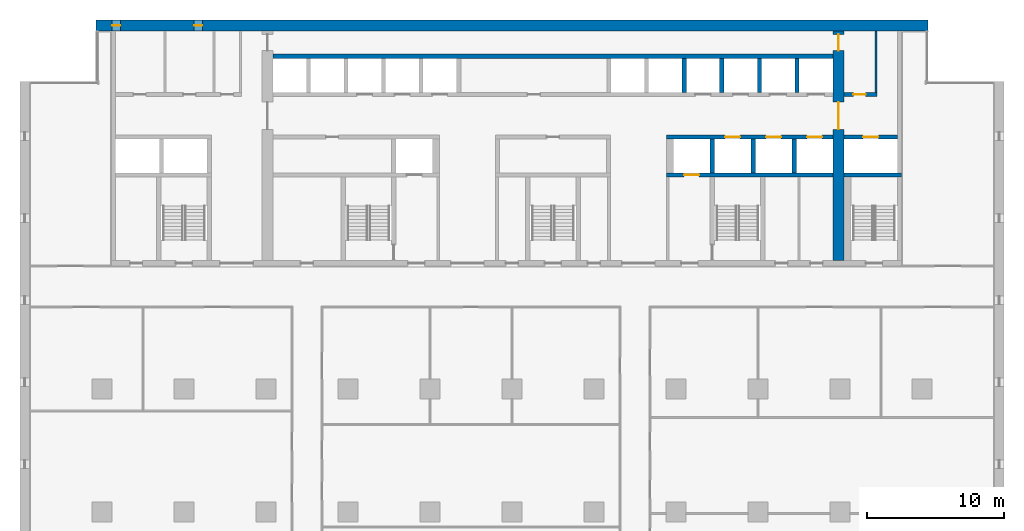
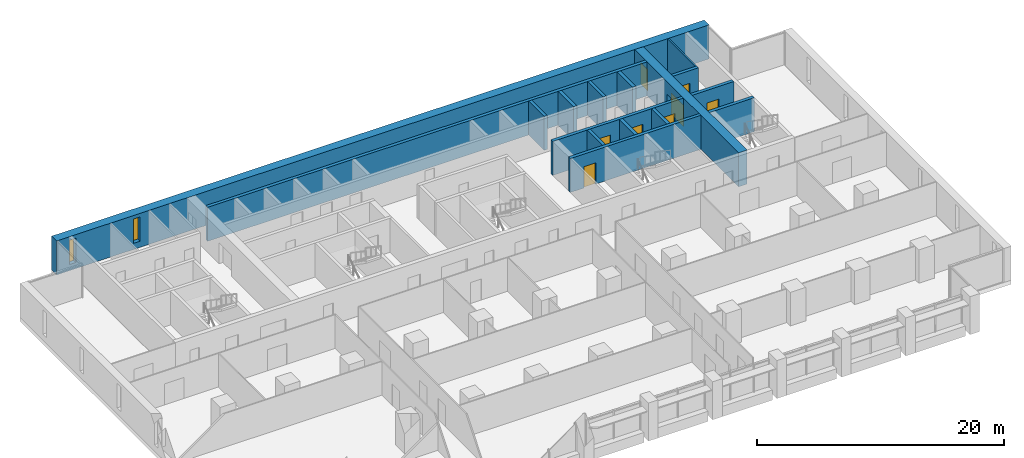
# One storey, part 11 of 17: 16 walls, 8 doors, 2 windows, 10 openings.
"""IFC4 building model written with IfcOpenShell, lengths in metres."""

from ifc_helpers import new_model, si_unit, direction, frame, frame_2d, origin, place, context, subcontext, project, spatial, rectangle, extrude, material, layer, layer_set, type_object, element, fill, save


model = new_model("IFC4")

# Units and contexts
model_context = context("Model", 3, precision=1e-05, world=origin(), true_north=direction((0.0, 1.0)))
body_context = subcontext(model_context, "Body", "Model", "MODEL_VIEW")
ifc_project = project(units=[si_unit("LENGTHUNIT", "METRE"), si_unit("AREAUNIT", "SQUARE_METRE"), si_unit("VOLUMEUNIT", "CUBIC_METRE"), si_unit("PLANEANGLEUNIT", "RADIAN"), si_unit("MASSUNIT", "GRAM", prefix="KILO")], contexts=[model_context])

# Site, building, storey
site_placement = place(None, origin())
site = spatial("IfcSite", under=ifc_project, at=site_placement, CompositionType="ELEMENT")
building_placement = place(site_placement, origin())
building = spatial("IfcBuilding", under=site, at=building_placement, Name="Calvaro Tower", CompositionType="ELEMENT")
storey_placement = place(building_placement, frame((0.0, 0.0, 98.75)))
storey = spatial("IfcBuildingStorey", under=building, at=storey_placement, Name="L24", CompositionType="ELEMENT", Elevation=98.75)

# Wall
ifc_material_1 = material(Name="Blockwork partition", Category="masonry")
ifc_layer_1 = layer(ifc_material_1, 0.14990234375)
ifc_layer_set_1 = layer_set([ifc_layer_1], Name="Blockwork partition")
wall_type_1 = type_object("IfcWallType", Name="Core partition 150 REI 120", PredefinedType="PARTITIONING", material=ifc_layer_set_1)
wall_1_placement = place(storey_placement, frame((62.625, 40.699951171875, 0.0), z_axis=(0.0, 0.0, 1.0), x_axis=(0.0, 1.0, 0.0)))
element("IfcWall", 1, at=wall_1_placement, inside=storey, type_object=wall_type_1, Name="Core partition", PredefinedType="PARTITIONING", context=body_context, shape_type="SweptSolid", body=[
    extrude(rectangle(XDim=4.5, YDim=0.14990234375, at=frame_2d((2.25, 0.0))), origin(), (0.0, 0.0, 1.0), 3.35009765625),
])

# Wall, opening, door
ifc_material_2 = material(Name="Blockwork partition", Category="masonry")
ifc_layer_2 = layer(ifc_material_2, 0.300048828125)
ifc_layer_set_2 = layer_set([ifc_layer_2], Name="Blockwork partition")
wall_type_2 = type_object("IfcWallType", Name="Core partition 300 REI 120", PredefinedType="PARTITIONING", material=ifc_layer_set_2)
wall_2_placement = place(storey_placement, frame((60.300048828125, 40.550048828125, 0.0), z_axis=(0.0, 0.0, 1.0), x_axis=(1.0, 0.0, 0.0)))
wall_2 = element("IfcWall", 2, at=wall_2_placement, inside=storey, type_object=wall_type_2, Name="Core partition", PredefinedType="PARTITIONING", context=body_context, shape_type="SweptSolid", body=[
    extrude(rectangle(XDim=2.39990234375, YDim=0.300048828125, at=frame_2d((1.199951171875, 0.0))), origin(), (0.0, 0.0, 1.0), 3.35009765625),
])
opening_1_placement = place(wall_2_placement, frame((0.675048828125, 0.0, 0.0)))
opening_1 = element("IfcOpeningElement", 3, at=opening_1_placement, cuts=wall_2, Name="Opening RD9E", PredefinedType="OPENING", context=body_context, shape_type="SweptSolid", body=[
    extrude(rectangle(XDim=0.89990234375, YDim=2.10009765625, at=frame_2d((0.449951171875, 1.050048828125))), frame((0.0, 0.159912109375, 0.0), z_axis=(0.0, -1.0, 0.0), x_axis=(1.0, 0.0, 0.0)), (0.0, 0.0, 1.0), 0.320068359375),
])
ifc_material_3 = material(Name="Steel door set", Category="steel")
door_type_1 = type_object("IfcDoorType", Name="Room door 900 FD60", OperationType="SINGLE_SWING_LEFT", PredefinedType="DOOR", material=ifc_material_3)
door_1_placement = place(opening_1_placement, origin())
door_1 = element("IfcDoor", 4, at=door_1_placement, inside=storey, type_object=door_type_1, Name="Room door", OperationType="SINGLE_SWING_LEFT", OverallHeight=2.10009765625, OverallWidth=0.89990234375, PredefinedType="DOOR", context=body_context, shape_type="SweptSolid", body=[
    extrude(rectangle(XDim=0.89990234375, YDim=2.10009765625, at=frame_2d((0.449951171875, 1.050048828125))), frame((0.0, 0.02490234375, 0.0), z_axis=(0.0, -1.0, 0.0), x_axis=(1.0, 0.0, 0.0)), (0.0, 0.0, 1.0), 0.050048828125),
])
fill(opening_1, door_1)

ifc_material_4 = material(Name="Concrete C60/75", Category="concrete")
ifc_layer_3 = layer(ifc_material_4, 0.300048828125)
ifc_layer_set_3 = layer_set([ifc_layer_3], Name="Concrete C60/75")
wall_type_3 = type_object("IfcWallType", Name="Core wall C60/75 300", PredefinedType="SHEAR", material=ifc_layer_set_3)
wall_3_placement = place(storey_placement, frame((47.300048828125, 34.64990234375, 0.0), z_axis=(0.0, 0.0, 1.0), x_axis=(1.0, 0.0, 0.0)))
wall_3 = element("IfcWall", 5, at=wall_3_placement, inside=storey, type_object=wall_type_3, Name="Core wall, lift shaft", PredefinedType="SHEAR", context=body_context, shape_type="SweptSolid", body=[
    extrude(rectangle(XDim=12.199951171875, YDim=0.300048828125, at=frame_2d((6.10009765625, 0.0))), origin(), (0.0, 0.0, 1.0), 3.35009765625),
])
opening_2_placement = place(wall_3_placement, frame((1.300048828125, 0.0, 0.0)))
opening_2 = element("IfcOpeningElement", 6, at=opening_2_placement, cuts=wall_3, Name="Opening FF2", PredefinedType="OPENING", context=body_context, shape_type="SweptSolid", body=[
    extrude(rectangle(XDim=1.10009765625, YDim=2.10009765625, at=frame_2d((0.550048828125, 1.050048828125))), frame((0.0, 0.159912109375, 0.0), z_axis=(0.0, -1.0, 0.0), x_axis=(1.0, 0.0, 0.0)), (0.0, 0.0, 1.0), 0.320068359375),
])
ifc_material_5 = material(Name="Stainless steel", Category="steel")
door_type_2 = type_object("IfcDoorType", Name="Landing door 1100 E 60", OperationType="SLIDING_TO_LEFT", PredefinedType="DOOR", material=ifc_material_5)
door_2_placement = place(opening_2_placement, origin())
door_2 = element("IfcDoor", 7, at=door_2_placement, inside=storey, type_object=door_type_2, Name="Landing door FF2", OperationType="SLIDING_TO_LEFT", OverallHeight=2.10009765625, OverallWidth=1.10009765625, PredefinedType="DOOR", context=body_context, shape_type="SweptSolid", body=[
    extrude(rectangle(XDim=1.10009765625, YDim=2.10009765625, at=frame_2d((0.550048828125, 1.050048828125))), frame((0.0, 0.02490234375, 0.0), z_axis=(0.0, -1.0, 0.0), x_axis=(1.0, 0.0, 0.0)), (0.0, 0.0, 1.0), 0.050048828125),
])
fill(opening_2, door_2)

# Wall
wall_4_placement = place(storey_placement, frame((60.300048828125, 34.64990234375, 0.0), z_axis=(0.0, 0.0, 1.0), x_axis=(1.0, 0.0, 0.0)))
element("IfcWall", 8, at=wall_4_placement, inside=storey, type_object=wall_type_3, Name="Core wall, lift shaft", PredefinedType="SHEAR", context=body_context, shape_type="SweptSolid", body=[
    extrude(rectangle(XDim=4.199951171875, YDim=0.300048828125, at=frame_2d((2.10009765625, 0.0))), origin(), (0.0, 0.0, 1.0), 3.35009765625),
])

# Wall, openings, doors
wall_5_placement = place(storey_placement, frame((47.300048828125, 37.449951171875, 0.0), z_axis=(0.0, 0.0, 1.0), x_axis=(1.0, 0.0, 0.0)))
wall_5 = element("IfcWall", 9, at=wall_5_placement, inside=storey, type_object=wall_type_3, Name="Core wall, lift shaft", PredefinedType="SHEAR", context=body_context, shape_type="SweptSolid", body=[
    extrude(rectangle(XDim=12.199951171875, YDim=0.300048828125, at=frame_2d((6.10009765625, 0.0))), origin(), (0.0, 0.0, 1.0), 3.35009765625),
])
opening_3_placement = place(wall_5_placement, frame((4.300048828125, 0.0, 0.0)))
opening_3 = element("IfcOpeningElement", 10, at=opening_3_placement, cuts=wall_5, Name="Opening MR1", PredefinedType="OPENING", context=body_context, shape_type="SweptSolid", body=[
    extrude(rectangle(XDim=1.10009765625, YDim=2.10009765625, at=frame_2d((0.550048828125, 1.050048828125))), frame((0.0, 0.159912109375, 0.0), z_axis=(0.0, -1.0, 0.0), x_axis=(1.0, 0.0, 0.0)), (0.0, 0.0, 1.0), 0.320068359375),
])
opening_4_placement = place(wall_5_placement, frame((7.300048828125, 0.0, 0.0)))
opening_4 = element("IfcOpeningElement", 11, at=opening_4_placement, cuts=wall_5, Name="Opening MR2", PredefinedType="OPENING", context=body_context, shape_type="SweptSolid", body=[
    extrude(rectangle(XDim=1.10009765625, YDim=2.10009765625, at=frame_2d((0.550048828125, 1.050048828125))), frame((0.0, 0.159912109375, 0.0), z_axis=(0.0, -1.0, 0.0), x_axis=(1.0, 0.0, 0.0)), (0.0, 0.0, 1.0), 0.320068359375),
])
opening_5_placement = place(wall_5_placement, frame((10.300048828125, 0.0, 0.0)))
opening_5 = element("IfcOpeningElement", 12, at=opening_5_placement, cuts=wall_5, Name="Opening MR3", PredefinedType="OPENING", context=body_context, shape_type="SweptSolid", body=[
    extrude(rectangle(XDim=1.10009765625, YDim=2.10009765625, at=frame_2d((0.550048828125, 1.050048828125))), frame((0.0, 0.159912109375, 0.0), z_axis=(0.0, -1.0, 0.0), x_axis=(1.0, 0.0, 0.0)), (0.0, 0.0, 1.0), 0.320068359375),
])
door_3_placement = place(opening_3_placement, origin())
door_3 = element("IfcDoor", 13, at=door_3_placement, inside=storey, type_object=door_type_2, Name="Landing door MR1", OperationType="SLIDING_TO_LEFT", OverallHeight=2.10009765625, OverallWidth=1.10009765625, PredefinedType="DOOR", context=body_context, shape_type="SweptSolid", body=[
    extrude(rectangle(XDim=1.10009765625, YDim=2.10009765625, at=frame_2d((0.550048828125, 1.050048828125))), frame((0.0, 0.02490234375, 0.0), z_axis=(0.0, -1.0, 0.0), x_axis=(1.0, 0.0, 0.0)), (0.0, 0.0, 1.0), 0.050048828125),
])
fill(opening_3, door_3)
door_4_placement = place(opening_4_placement, origin())
door_4 = element("IfcDoor", 14, at=door_4_placement, inside=storey, type_object=door_type_2, Name="Landing door MR2", OperationType="SLIDING_TO_LEFT", OverallHeight=2.10009765625, OverallWidth=1.10009765625, PredefinedType="DOOR", context=body_context, shape_type="SweptSolid", body=[
    extrude(rectangle(XDim=1.10009765625, YDim=2.10009765625, at=frame_2d((0.550048828125, 1.050048828125))), frame((0.0, 0.02490234375, 0.0), z_axis=(0.0, -1.0, 0.0), x_axis=(1.0, 0.0, 0.0)), (0.0, 0.0, 1.0), 0.050048828125),
])
fill(opening_4, door_4)
door_5_placement = place(opening_5_placement, origin())
door_5 = element("IfcDoor", 15, at=door_5_placement, inside=storey, type_object=door_type_2, Name="Landing door MR3", OperationType="SLIDING_TO_LEFT", OverallHeight=2.10009765625, OverallWidth=1.10009765625, PredefinedType="DOOR", context=body_context, shape_type="SweptSolid", body=[
    extrude(rectangle(XDim=1.10009765625, YDim=2.10009765625, at=frame_2d((0.550048828125, 1.050048828125))), frame((0.0, 0.02490234375, 0.0), z_axis=(0.0, -1.0, 0.0), x_axis=(1.0, 0.0, 0.0)), (0.0, 0.0, 1.0), 0.050048828125),
])
fill(opening_5, door_5)

# Wall, opening, door
wall_6_placement = place(storey_placement, frame((60.300048828125, 37.449951171875, 0.0), z_axis=(0.0, 0.0, 1.0), x_axis=(1.0, 0.0, 0.0)))
wall_6 = element("IfcWall", 16, at=wall_6_placement, inside=storey, type_object=wall_type_3, Name="Core wall, lift shaft", PredefinedType="SHEAR", context=body_context, shape_type="SweptSolid", body=[
    extrude(rectangle(XDim=3.89990234375, YDim=0.300048828125, at=frame_2d((1.949951171875, 0.0))), origin(), (0.0, 0.0, 1.0), 3.35009765625),
])
opening_6_placement = place(wall_6_placement, frame((1.39990234375, 0.0, 0.0)))
opening_6 = element("IfcOpeningElement", 17, at=opening_6_placement, cuts=wall_6, Name="Opening FF3", PredefinedType="OPENING", context=body_context, shape_type="SweptSolid", body=[
    extrude(rectangle(XDim=1.10009765625, YDim=2.10009765625, at=frame_2d((0.550048828125, 1.050048828125))), frame((0.0, 0.159912109375, 0.0), z_axis=(0.0, -1.0, 0.0), x_axis=(1.0, 0.0, 0.0)), (0.0, 0.0, 1.0), 0.320068359375),
])
door_6_placement = place(opening_6_placement, origin())
door_6 = element("IfcDoor", 18, at=door_6_placement, inside=storey, type_object=door_type_2, Name="Landing door FF3", OperationType="SLIDING_TO_LEFT", OverallHeight=2.10009765625, OverallWidth=1.10009765625, PredefinedType="DOOR", context=body_context, shape_type="SweptSolid", body=[
    extrude(rectangle(XDim=1.10009765625, YDim=2.10009765625, at=frame_2d((0.550048828125, 1.050048828125))), frame((0.0, 0.02490234375, 0.0), z_axis=(0.0, -1.0, 0.0), x_axis=(1.0, 0.0, 0.0)), (0.0, 0.0, 1.0), 0.050048828125),
])
fill(opening_6, door_6)

# Walls
wall_7_placement = place(storey_placement, frame((50.64990234375, 34.800048828125, 0.0), z_axis=(0.0, 0.0, 1.0), x_axis=(0.0, 1.0, 0.0)))
element("IfcWall", 19, at=wall_7_placement, inside=storey, type_object=wall_type_3, Name="Core wall, lift shaft", PredefinedType="SHEAR", context=body_context, shape_type="SweptSolid", body=[
    extrude(rectangle(XDim=2.5, YDim=0.300048828125, at=frame_2d((1.25, 0.0))), origin(), (0.0, 0.0, 1.0), 3.35009765625),
])
wall_8_placement = place(storey_placement, frame((18.5, 43.35009765625, 0.0), z_axis=(0.0, 0.0, 1.0), x_axis=(1.0, 0.0, 0.0)))
element("IfcWall", 20, at=wall_8_placement, inside=storey, type_object=wall_type_3, Name="Core wall, lift shaft", PredefinedType="SHEAR", context=body_context, shape_type="SweptSolid", body=[
    extrude(rectangle(XDim=41.0, YDim=0.300048828125, at=frame_2d((20.5, 0.0))), origin(), (0.0, 0.0, 1.0), 3.35009765625),
])
for number, where, z_axis, x_axis, name in (
    (21, (53.64990234375, 34.800048828125, 0.0), (0.0, 0.0, 1.0), (0.0, 1.0, 0.0), "Core wall, lift shaft"),
    (22, (56.64990234375, 34.800048828125, 0.0), (0.0, 0.0, 1.0), (0.0, 1.0, 0.0), "Core wall, lift shaft"),
    (23, (48.60009765625, 40.699951171875, 0.0), (0.0, 0.0, 1.0), (0.0, 1.0, 0.0), "Core wall, lift shaft"),
    (24, (51.35009765625, 40.699951171875, 0.0), (0.0, 0.0, 1.0), (0.0, 1.0, 0.0), "Core wall, lift shaft"),
    (25, (54.10009765625, 40.699951171875, 0.0), (0.0, 0.0, 1.0), (0.0, 1.0, 0.0), "Core wall, lift shaft"),
    (26, (56.85009765625, 40.699951171875, 0.0), (0.0, 0.0, 1.0), (0.0, 1.0, 0.0), "Core wall, lift shaft"),
):
    element("IfcWall", number, at=place(storey_placement, frame(where, z_axis=z_axis, x_axis=x_axis)), inside=storey, type_object=wall_type_3, Name=name, PredefinedType="SHEAR", context=body_context, shape_type="SweptSolid", body=[
        extrude(rectangle(XDim=2.5, YDim=0.300048828125, at=frame_2d((1.25, 0.0))), origin(), (0.0, 0.0, 1.0), 3.35009765625),
    ])

# Wall, openings, doors
ifc_material_6 = material(Name="Concrete C60/75", Category="concrete")
ifc_layer_4 = layer(ifc_material_6, 0.800048828125)
ifc_layer_set_4 = layer_set([ifc_layer_4], Name="Concrete C60/75")
wall_type_4 = type_object("IfcWallType", Name="Core wall C60/75 800", PredefinedType="SHEAR", material=ifc_layer_set_4)
wall_9_placement = place(storey_placement, frame((59.89990234375, 28.39990234375, 0.0), z_axis=(0.0, 0.0, 1.0), x_axis=(0.0, 1.0, 0.0)))
wall_9 = element("IfcWall", 27, at=wall_9_placement, inside=storey, type_object=wall_type_4, Name="Core wall, cross shear wall", PredefinedType="SHEAR", context=body_context, shape_type="SweptSolid", body=[
    extrude(rectangle(XDim=16.800048828125, YDim=0.800048828125, at=frame_2d((8.39990234375, 0.0))), origin(), (0.0, 0.0, 1.0), 3.35009765625),
])
opening_7_placement = place(wall_9_placement, frame((9.60009765625, 0.0, 0.0)))
opening_7 = element("IfcOpeningElement", 28, at=opening_7_placement, cuts=wall_9, Name="Opening DD20D", PredefinedType="OPENING", context=body_context, shape_type="SweptSolid", body=[
    extrude(rectangle(XDim=2.0, YDim=2.10009765625, at=frame_2d((1.0, 1.050048828125))), frame((0.0, 0.409912109375, 0.0), z_axis=(0.0, -1.0, 0.0), x_axis=(1.0, 0.0, 0.0)), (0.0, 0.0, 1.0), 0.820068359375),
])
opening_8_placement = place(wall_9_placement, frame((15.35009765625, 0.0, 0.0)))
opening_8 = element("IfcOpeningElement", 29, at=opening_8_placement, cuts=wall_9, Name="Opening FD12C", PredefinedType="OPENING", context=body_context, shape_type="SweptSolid", body=[
    extrude(rectangle(XDim=1.199951171875, YDim=2.10009765625, at=frame_2d((0.60009765625, 1.050048828125))), frame((0.0, 0.409912109375, 0.0), z_axis=(0.0, -1.0, 0.0), x_axis=(1.0, 0.0, 0.0)), (0.0, 0.0, 1.0), 0.820068359375),
])
ifc_material_7 = material(Name="Steel door set", Category="steel")
door_type_3 = type_object("IfcDoorType", Name="Fire door 1200 FD30", OperationType="SINGLE_SWING_LEFT", PredefinedType="DOOR", material=ifc_material_7)
door_7_placement = place(opening_8_placement, origin())
door_7 = element("IfcDoor", 30, at=door_7_placement, inside=storey, type_object=door_type_3, Name="Fire door", OperationType="SINGLE_SWING_LEFT", OverallHeight=2.10009765625, OverallWidth=1.199951171875, PredefinedType="DOOR", context=body_context, shape_type="SweptSolid", body=[
    extrude(rectangle(XDim=1.199951171875, YDim=2.10009765625, at=frame_2d((0.60009765625, 1.050048828125))), frame((0.0, 0.02490234375, 0.0), z_axis=(0.0, -1.0, 0.0), x_axis=(1.0, 0.0, 0.0)), (0.0, 0.0, 1.0), 0.050048828125),
])
fill(opening_8, door_7)
ifc_material_8 = material(Name="Steel door set", Category="steel")
door_type_4 = type_object("IfcDoorType", Name="Lobby double door 2000 FD30S", OperationType="DOUBLE_DOOR_SINGLE_SWING", PredefinedType="DOOR", material=ifc_material_8)
door_8_placement = place(opening_7_placement, origin())
door_8 = element("IfcDoor", 31, at=door_8_placement, inside=storey, type_object=door_type_4, Name="Lobby double door", OperationType="DOUBLE_DOOR_SINGLE_SWING", OverallHeight=2.10009765625, OverallWidth=2.0, PredefinedType="DOOR", context=body_context, shape_type="SweptSolid", body=[
    extrude(rectangle(XDim=2.0, YDim=2.10009765625, at=frame_2d((1.0, 1.050048828125))), frame((0.0, 0.02490234375, 0.0), z_axis=(0.0, -1.0, 0.0), x_axis=(1.0, 0.0, 0.0)), (0.0, 0.0, 1.0), 0.050048828125),
])
fill(opening_7, door_8)

# Wall, openings, windows
ifc_material_9 = material(Name="Concrete C60/75", Category="concrete")
ifc_layer_5 = layer(ifc_material_9, 0.800048828125)
ifc_layer_set_5 = layer_set([ifc_layer_5], Name="Concrete C60/75")
wall_type_5 = type_object("IfcWallType", Name="Rear core wall 800 C60/75", PredefinedType="SHEAR", material=ifc_layer_set_5)
wall_10_placement = place(storey_placement, frame((5.550048828125, 45.60009765625, 0.0), z_axis=(0.0, 0.0, 1.0), x_axis=(1.0, 0.0, 0.0)))
wall_10 = element("IfcWall", 32, at=wall_10_placement, inside=storey, type_object=wall_type_5, Name="North core wall", PredefinedType="SHEAR", context=body_context, shape_type="SweptSolid", body=[
    extrude(rectangle(XDim=60.89990234375, YDim=0.800048828125, at=frame_2d((30.449951171875, 0.0))), origin(), (0.0, 0.0, 1.0), 3.35009765625),
])
opening_9_placement = place(wall_10_placement, frame((1.199951171875, 0.0, 0.60009765625)))
opening_9 = element("IfcOpeningElement", 33, at=opening_9_placement, cuts=wall_10, Name="Opening WN01", PredefinedType="OPENING", context=body_context, shape_type="SweptSolid", body=[
    extrude(rectangle(XDim=0.60009765625, YDim=2.39990234375, at=frame_2d((0.300048828125, 1.199951171875))), frame((0.0, 0.409912109375, 0.0), z_axis=(0.0, -1.0, 0.0), x_axis=(1.0, 0.0, 0.0)), (0.0, 0.0, 1.0), 0.820068359375),
])
opening_10_placement = place(wall_10_placement, frame((7.199951171875, 0.0, 0.60009765625)))
opening_10 = element("IfcOpeningElement", 34, at=opening_10_placement, cuts=wall_10, Name="Opening WN02", PredefinedType="OPENING", context=body_context, shape_type="SweptSolid", body=[
    extrude(rectangle(XDim=0.60009765625, YDim=2.39990234375, at=frame_2d((0.300048828125, 1.199951171875))), frame((0.0, 0.409912109375, 0.0), z_axis=(0.0, -1.0, 0.0), x_axis=(1.0, 0.0, 0.0)), (0.0, 0.0, 1.0), 0.820068359375),
])
ifc_material_10 = material(Name="Glass", Category="glass")
window_type = type_object("IfcWindowType", Name="Slit window 600 x 2400", PartitioningType="SINGLE_PANEL", PredefinedType="WINDOW", material=ifc_material_10)
window_1_placement = place(opening_9_placement, origin())
window_1 = element("IfcWindow", 35, at=window_1_placement, inside=storey, type_object=window_type, Name="Window WN01", OverallHeight=2.39990234375, OverallWidth=0.60009765625, PartitioningType="SINGLE_PANEL", PredefinedType="WINDOW", context=body_context, shape_type="SweptSolid", body=[
    extrude(rectangle(XDim=0.60009765625, YDim=2.39990234375, at=frame_2d((0.300048828125, 1.199951171875))), frame((0.0, 0.030029296875, 0.0), z_axis=(0.0, -1.0, 0.0), x_axis=(1.0, 0.0, 0.0)), (0.0, 0.0, 1.0), 0.06005859375),
])
fill(opening_9, window_1)
window_2_placement = place(opening_10_placement, origin())
window_2 = element("IfcWindow", 36, at=window_2_placement, inside=storey, type_object=window_type, Name="Window WN02", OverallHeight=2.39990234375, OverallWidth=0.60009765625, PartitioningType="SINGLE_PANEL", PredefinedType="WINDOW", context=body_context, shape_type="SweptSolid", body=[
    extrude(rectangle(XDim=0.60009765625, YDim=2.39990234375, at=frame_2d((0.300048828125, 1.199951171875))), frame((0.0, 0.030029296875, 0.0), z_axis=(0.0, -1.0, 0.0), x_axis=(1.0, 0.0, 0.0)), (0.0, 0.0, 1.0), 0.06005859375),
])
fill(opening_10, window_2)

save(model, "model.ifc")
